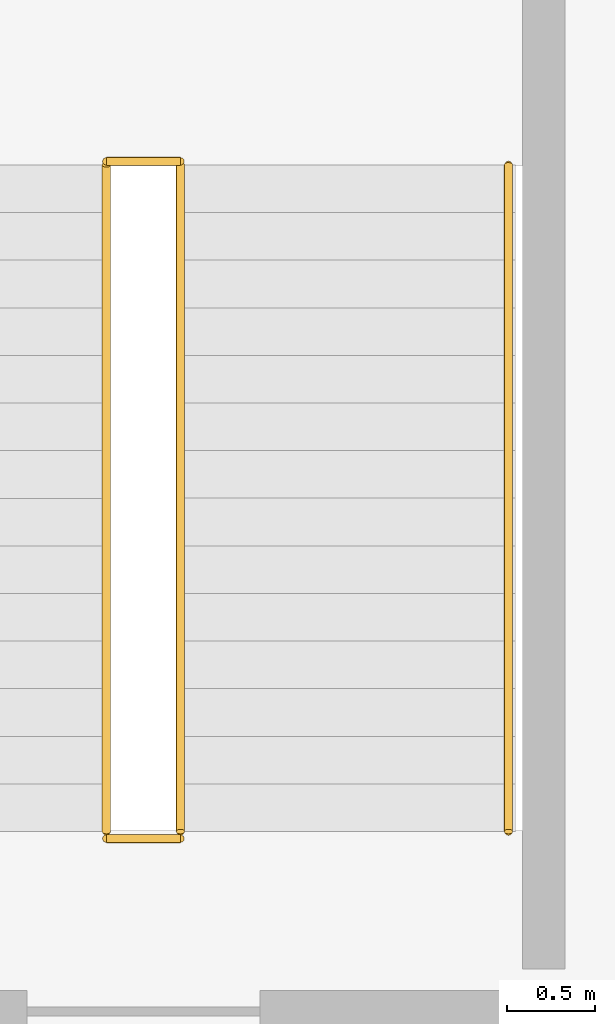
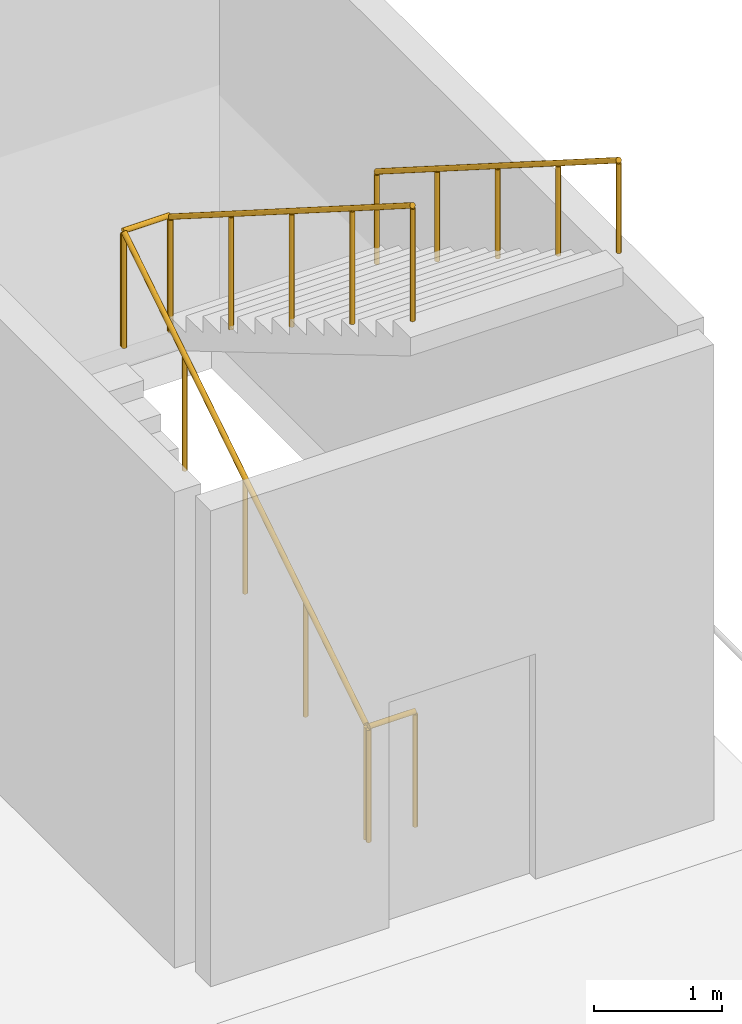
# One storey, part 117 of 120: 5 railings.
"""IFC4 building model written with IfcOpenShell, lengths in metres."""

import ifcopenshell
import ifcopenshell.guid

model = None  # the IFC model being written
_history = None  # IfcOwnerHistory: only IFC2X3 demands one
_inside = {}  # id of a spatial element -> (the spatial element, [elements in it])
_under = {}  # id of a project, library or spatial element -> (it, [spatial elements below it])
_declared = {}  # id of a project -> (the project, [libraries it declares])
_typed = {}  # id of a type object -> (the type object, [elements of that type])
_made_of = {}  # id of a material, layer set ... -> (it, [elements and type objects made of it])


def new_model(schema):
    """Start an empty IFC model of exactly this schema.

    Asked for "IFC4X3", IfcOpenShell would pick the latest addendum, in which some entities
    have other attributes; the version numbers below select the first issue.
    IFC2X3 requires an IfcOwnerHistory on every rooted entity: one is made here for all.
    """
    global model, _history
    if schema == "IFC4X3":
        model = ifcopenshell.file(schema_version=(4, 3, 0, 0))
    else:
        model = ifcopenshell.file(schema=schema)
    _inside.clear()
    _under.clear()
    _declared.clear()
    _typed.clear()
    _made_of.clear()
    _history = None
    if model.schema == "IFC2X3":
        org = make("IfcOrganization", Name="unknown")
        user = make(
            "IfcPersonAndOrganization",
            ThePerson=make("IfcPerson", FamilyName="unknown"),
            TheOrganization=org,
        )
        app = make(
            "IfcApplication",
            ApplicationDeveloper=org,
            Version="unknown",
            ApplicationFullName="unknown",
            ApplicationIdentifier="unknown",
        )
        _history = make(
            "IfcOwnerHistory",
            OwningUser=user,
            OwningApplication=app,
            ChangeAction="ADDED",
            CreationDate=0,
        )
    return model


def make(cls, **values):
    """One entity of the class cls with the attributes given. An attribute that is None is left unset."""
    return model.create_entity(
        cls, **{name: value for name, value in values.items() if value is not None}
    )


def rooted(cls, **values):
    """An entity with a GlobalId (a new one), such as an element, a storey or a relation."""
    return make(cls, GlobalId=ifcopenshell.guid.new(), OwnerHistory=_history, **values)


def si_unit(unit_type, name, prefix=None):
    """IfcSIUnit, for example si_unit("LENGTHUNIT", "METRE", prefix="MILLI")."""
    return make("IfcSIUnit", UnitType=unit_type, Prefix=prefix, Name=name)


def assignment(units):
    """IfcUnitAssignment: the units of a project."""
    return None if units is None else make("IfcUnitAssignment", Units=units)


def point(xyz):
    """IfcCartesianPoint."""
    return None if xyz is None else make("IfcCartesianPoint", Coordinates=xyz)


def direction(xyz):
    """IfcDirection."""
    return None if xyz is None else make("IfcDirection", DirectionRatios=xyz)


def frame(location, z_axis=None, x_axis=None):
    """IfcAxis2Placement3D, a coordinate frame: its origin and axes. An axis left out is left unset."""
    return make(
        "IfcAxis2Placement3D",
        Location=point(location),
        Axis=direction(z_axis),
        RefDirection=direction(x_axis),
    )


def frame_2d(location, x_axis=None):
    """IfcAxis2Placement2D, a coordinate frame in the plane: its origin and x axis."""
    return make(
        "IfcAxis2Placement2D", Location=point(location), RefDirection=direction(x_axis)
    )


def origin():
    """The frame at (0, 0, 0) with its axes left unset."""
    return frame((0.0, 0.0, 0.0))


def origin_2d():
    """The frame at (0, 0) in the plane with its x axis left unset."""
    return frame_2d((0.0, 0.0))


def place(relative_to, where):
    """IfcLocalPlacement: puts the frame where relative to a parent placement (None: the world)."""
    return make(
        "IfcLocalPlacement", PlacementRelTo=relative_to, RelativePlacement=where
    )


def context(
    kind, dimensions, precision=None, world=None, true_north=None, identifier=None
):
    """IfcGeometricRepresentationContext, for example the 3D "Model" context."""
    return make(
        "IfcGeometricRepresentationContext",
        ContextIdentifier=identifier,
        ContextType=kind,
        CoordinateSpaceDimension=dimensions,
        Precision=precision,
        WorldCoordinateSystem=world,
        TrueNorth=true_north,
    )


def subcontext(parent, identifier, kind, view, scale=None):
    """IfcGeometricRepresentationSubContext, for example "Body" below "Model"."""
    return make(
        "IfcGeometricRepresentationSubContext",
        ContextIdentifier=identifier,
        ContextType=kind,
        ParentContext=parent,
        TargetScale=scale,
        TargetView=view,
    )


def project(units=None, contexts=None):
    """IfcProject with its units and contexts."""
    return rooted(
        "IfcProject",
        Name="project",
        RepresentationContexts=contexts,
        UnitsInContext=assignment(units),
    )


def spatial(cls, under=None, at=None, **own):
    """A site, building, storey or space (cls), placed at a placement, below another one or the project."""
    s = rooted(cls, ObjectPlacement=at, **own)
    if under is not None:
        _under.setdefault(under.id(), (under, []))[1].append(s)
    return s


def profile(cls, at=None, kind="AREA", **sizes):
    """A parametric profile (cls). Its sizes go by their IFC names, for example OverallWidth=200.0."""
    return make(cls, ProfileType=kind, Position=at, **sizes)


def circle(**sizes):
    """IfcCircleProfileDef."""
    return profile("IfcCircleProfileDef", **sizes)


def extrude(swept, where, along, depth):
    """IfcExtrudedAreaSolid: the profile swept, set in the frame where, extruded along a direction by depth."""
    return make(
        "IfcExtrudedAreaSolid",
        SweptArea=swept,
        Position=where,
        ExtrudedDirection=direction(along),
        Depth=depth,
    )


def shape(context_of_items, identifier, shape_type, items):
    """IfcShapeRepresentation: the items that make up one representation, for example the "Body"."""
    return make(
        "IfcShapeRepresentation",
        ContextOfItems=context_of_items,
        RepresentationIdentifier=identifier,
        RepresentationType=shape_type,
        Items=items,
    )


def material(Name=None, Category=None):
    """IfcMaterial."""
    return make("IfcMaterial", Name=Name, Category=Category)


def made_of(thing, what):
    """Note that an element or type object is made of a material, layer set ...; save() writes the relation."""
    if what is not None:
        _made_of.setdefault(what.id(), (what, []))[1].append(thing)
    return thing


def type_object(cls, material=None, **own):
    """A type object (cls), such as IfcWallType, which elements share."""
    return made_of(rooted(cls, **own), material)


def element(
    cls,
    number,
    at=None,
    inside=None,
    cuts=None,
    type_object=None,
    material=None,
    context=None,
    identifier="Body",
    shape_type=None,
    held_by="IfcProductDefinitionShape",
    body=None,
    shapes=None,
    **own,
):
    """One element of the class cls, such as IfcWall. Its Tag is "e" and its number.

    at: its placement. inside: the storey or other place that contains it. cuts: it is an
    opening in that element (IfcRelVoidsElement). A single representation is given by context,
    identifier, shape_type and body (its items); several are given by shapes. held_by: the class
    of the entity that holds the representations. save() writes the other relations.
    """
    e = rooted(cls, Tag="e%d" % number, ObjectPlacement=at, **own)
    if body is not None:
        shapes = [shape(context, identifier, shape_type, body)]
    if shapes is not None:
        e.Representation = make(held_by, Representations=shapes)
    if inside is not None:
        _inside.setdefault(inside.id(), (inside, []))[1].append(e)
    if cuts is not None:
        rooted(
            "IfcRelVoidsElement", RelatingBuildingElement=cuts, RelatedOpeningElement=e
        )
    if type_object is not None:
        _typed.setdefault(type_object.id(), (type_object, []))[1].append(e)
    return made_of(e, material)


def aggregate(whole, parts):
    """IfcRelAggregates: a whole, such as a stair, and the parts it consists of."""
    return rooted("IfcRelAggregates", RelatingObject=whole, RelatedObjects=parts)


def save(model, path):
    """Write the relations noted so far, then the file.

    IfcRelAggregates (storeys below a building ...), IfcRelContainedInSpatialStructure (elements
    in a storey), IfcRelDefinesByType, IfcRelAssociatesMaterial and IfcRelDeclares: one each for
    every whole, place, type object, material and project.
    """
    for whole, parts in _under.values():
        aggregate(whole, parts)
    for where, things in _inside.values():
        rooted(
            "IfcRelContainedInSpatialStructure",
            RelatedElements=things,
            RelatingStructure=where,
        )
    for kind, things in _typed.values():
        rooted("IfcRelDefinesByType", RelatedObjects=things, RelatingType=kind)
    for what, things in _made_of.values():
        rooted("IfcRelAssociatesMaterial", RelatedObjects=things, RelatingMaterial=what)
    for by, libraries in _declared.values():
        rooted("IfcRelDeclares", RelatingContext=by, RelatedDefinitions=libraries)
    model.write(path)


model = new_model("IFC4")

# Units and contexts
model_context = context("Model", 3, precision=1e-05, world=origin(), true_north=direction((0.0, 1.0)))
body_context = subcontext(model_context, "Body", "Model", "MODEL_VIEW")
ifc_project = project(units=[si_unit("LENGTHUNIT", "METRE"), si_unit("AREAUNIT", "SQUARE_METRE"), si_unit("VOLUMEUNIT", "CUBIC_METRE"), si_unit("PLANEANGLEUNIT", "RADIAN"), si_unit("MASSUNIT", "GRAM", prefix="KILO")], contexts=[model_context])

# Site, building, storey
site_placement = place(None, origin())
site = spatial("IfcSite", under=ifc_project, at=site_placement, CompositionType="ELEMENT")
building_placement = place(site_placement, origin())
building = spatial("IfcBuilding", under=site, at=building_placement, Name="Zarnetskaya Central Station", CompositionType="ELEMENT")
storey_placement = place(building_placement, frame((0.0, 0.0, 5.39990234375)))
storey = spatial("IfcBuildingStorey", under=building, at=storey_placement, Name="L01", CompositionType="ELEMENT", Elevation=5.39990234375)

# Railings
ifc_material = material(Name="Steel S355", Category="steel")
railing_type_1 = type_object("IfcRailingType", Name="RAIL-HAND-900", PredefinedType="HANDRAIL", material=ifc_material)
railing_1_placement = place(storey_placement, frame((66.419921875, 36.580078125, 2.400146484375)))
element("IfcRailing", 1, at=railing_1_placement, inside=storey, type_object=railing_type_1, Name="Stair ST-H1 L01 flight 2 handrail", PredefinedType="HANDRAIL", context=body_context, shape_type="SweptSolid", body=[
    extrude(circle(Radius=0.02392578125, at=origin_2d()), frame((0.0, 0.0, 0.8759765625), z_axis=(0.0, -0.844224564207, 0.535989631606), x_axis=(1.0, 0.0, 0.0)), (0.0, 0.0, 1.0), 4.4775390625),
    extrude(circle(Radius=0.02099609375, at=origin_2d()), origin(), (0.0, 0.0, 1.0), 0.851806640625),
    extrude(circle(Radius=0.02099609375, at=origin_2d()), frame((0.0, -0.945068359375, 0.60009765625)), (0.0, 0.0, 1.0), 0.851806640625),
    extrude(circle(Radius=0.02099609375, at=origin_2d()), frame((0.0, -1.89013671875, 1.199951171875)), (0.0, 0.0, 1.0), 0.851806640625),
    extrude(circle(Radius=0.02099609375, at=origin_2d()), frame((0.0, -2.8349609375, 1.7998046875)), (0.0, 0.0, 1.0), 0.851806640625),
    extrude(circle(Radius=0.02099609375, at=origin_2d()), frame((0.0, -3.780029296875, 2.39990234375)), (0.0, 0.0, 1.0), 0.851806640625),
])
railing_type_2 = type_object("IfcRailingType", Name="RAIL-STAIR-GRD", PredefinedType="BALUSTRADE", material=ifc_material)
railing_2_placement = place(storey_placement, frame((64.139892578125, 32.760009765625, 0.0)))
element("IfcRailing", 2, at=railing_2_placement, inside=storey, type_object=railing_type_2, Name="Stair ST-H1 L01 floor well guard", PredefinedType="BALUSTRADE", context=body_context, shape_type="SweptSolid", body=[
    extrude(circle(Radius=0.02392578125, at=origin_2d()), frame((0.0, 0.0, 1.09619140625), z_axis=(1.0, 0.0, 0.0), x_axis=(0.0, 1.0, 0.0)), (0.0, 0.0, 1.0), 0.420166015625),
    extrude(circle(Radius=0.02099609375, at=origin_2d()), origin(), (0.0, 0.0, 1.0), 1.072021484375),
    extrude(circle(Radius=0.02099609375, at=origin_2d()), frame((0.420166015625, 0.0, 0.0)), (0.0, 0.0, 1.0), 1.072021484375),
])
railing_3_placement = place(storey_placement, frame((64.139892578125, 32.800048828125, 0.0)))
element("IfcRailing", 3, at=railing_3_placement, inside=storey, type_object=railing_type_2, Name="Stair ST-H1 L01 flight 1 well guard", PredefinedType="BALUSTRADE", context=body_context, shape_type="SweptSolid", body=[
    extrude(circle(Radius=0.02392578125, at=origin_2d()), frame((0.0, 0.0, 1.09619140625), z_axis=(0.0, 0.844199891302, 0.536028491338), x_axis=(-1.0, 0.0, 0.0)), (0.0, 0.0, 1.0), 4.4775390625),
    extrude(circle(Radius=0.02099609375, at=origin_2d()), origin(), (0.0, 0.0, 1.0), 1.072021484375),
    extrude(circle(Radius=0.02099609375, at=origin_2d()), frame((0.0, 0.945068359375, 0.60009765625)), (0.0, 0.0, 1.0), 1.072021484375),
    extrude(circle(Radius=0.02099609375, at=origin_2d()), frame((0.0, 1.89013671875, 1.2001953125)), (0.0, 0.0, 1.0), 1.072021484375),
    extrude(circle(Radius=0.02099609375, at=origin_2d()), frame((0.0, 2.8349609375, 1.800048828125)), (0.0, 0.0, 1.0), 1.072021484375),
    extrude(circle(Radius=0.02099609375, at=origin_2d()), frame((0.0, 3.780029296875, 2.400146484375)), (0.0, 0.0, 1.0), 1.072021484375),
])
railing_4_placement = place(storey_placement, frame((64.139892578125, 36.60009765625, 2.400146484375)))
element("IfcRailing", 4, at=railing_4_placement, inside=storey, type_object=railing_type_2, Name="Stair ST-H1 L01 half-landing well guard", PredefinedType="BALUSTRADE", context=body_context, shape_type="SweptSolid", body=[
    extrude(circle(Radius=0.02392578125, at=origin_2d()), frame((0.0, 0.0, 1.09619140625), z_axis=(1.0, 0.0, 0.0), x_axis=(0.0, 1.0, 0.0)), (0.0, 0.0, 1.0), 0.420166015625),
    extrude(circle(Radius=0.02099609375, at=origin_2d()), origin(), (0.0, 0.0, 1.0), 1.072021484375),
    extrude(circle(Radius=0.02099609375, at=origin_2d()), frame((0.420166015625, 0.0, 0.0)), (0.0, 0.0, 1.0), 1.072021484375),
])
railing_5_placement = place(storey_placement, frame((64.56005859375, 36.580078125, 2.400146484375)))
element("IfcRailing", 5, at=railing_5_placement, inside=storey, type_object=railing_type_2, Name="Stair ST-H1 L01 flight 2 well guard", PredefinedType="BALUSTRADE", context=body_context, shape_type="SweptSolid", body=[
    extrude(circle(Radius=0.02392578125, at=origin_2d()), frame((0.0, 0.0, 1.09619140625), z_axis=(0.0, -0.844224564207, 0.535989631606), x_axis=(1.0, 0.0, 0.0)), (0.0, 0.0, 1.0), 4.4775390625),
    extrude(circle(Radius=0.02099609375, at=origin_2d()), origin(), (0.0, 0.0, 1.0), 1.072021484375),
    extrude(circle(Radius=0.02099609375, at=origin_2d()), frame((0.0, -0.945068359375, 0.60009765625)), (0.0, 0.0, 1.0), 1.072021484375),
    extrude(circle(Radius=0.02099609375, at=origin_2d()), frame((0.0, -1.89013671875, 1.199951171875)), (0.0, 0.0, 1.0), 1.072021484375),
    extrude(circle(Radius=0.02099609375, at=origin_2d()), frame((0.0, -2.8349609375, 1.7998046875)), (0.0, 0.0, 1.0), 1.072021484375),
    extrude(circle(Radius=0.02099609375, at=origin_2d()), frame((0.0, -3.780029296875, 2.39990234375)), (0.0, 0.0, 1.0), 1.072021484375),
])

save(model, "model.ifc")
